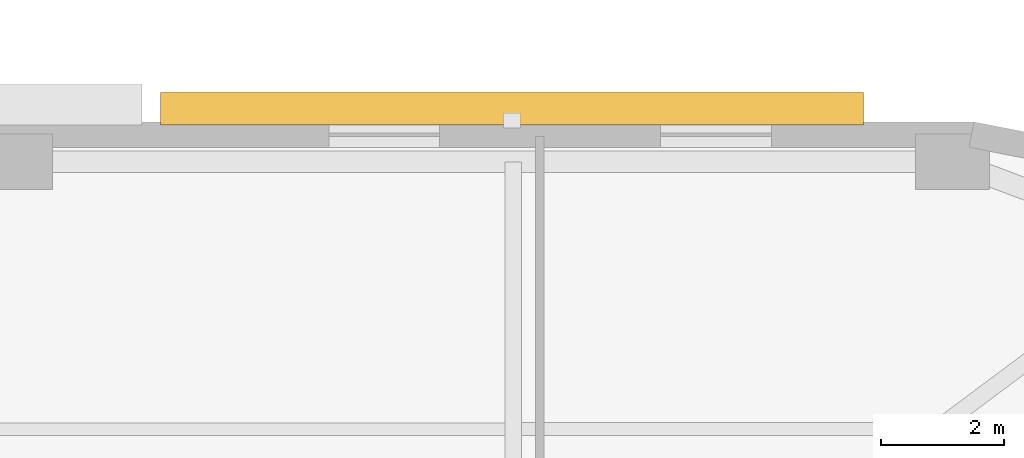
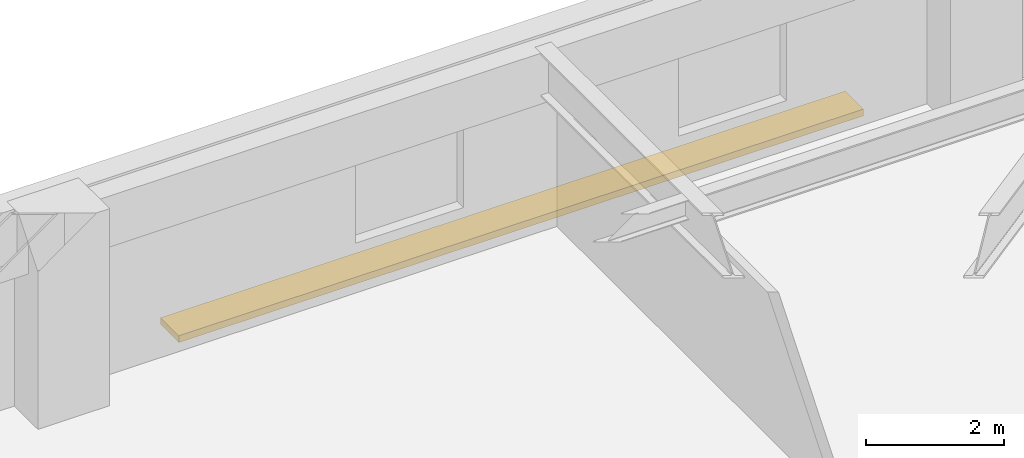
# One storey, part 14 of 14: 1 shading device.
"""IFC4 building model written with IfcOpenShell, lengths in metres."""

from ifc_helpers import new_model, si_unit, direction, frame, origin, origin_2d, place, context, subcontext, project, spatial, rectangle, extrude, material, type_object, element, save


model = new_model("IFC4")

# Units and contexts
model_context = context("Model", 3, precision=1e-05, world=origin(), true_north=direction((0.0, 1.0)))
body_context = subcontext(model_context, "Body", "Model", "MODEL_VIEW")
ifc_project = project(units=[si_unit("LENGTHUNIT", "METRE"), si_unit("AREAUNIT", "SQUARE_METRE"), si_unit("VOLUMEUNIT", "CUBIC_METRE"), si_unit("PLANEANGLEUNIT", "RADIAN"), si_unit("MASSUNIT", "GRAM", prefix="KILO")], contexts=[model_context])

# Site, building, storey
site_placement = place(None, origin())
site = spatial("IfcSite", under=ifc_project, at=site_placement, CompositionType="ELEMENT")
building_placement = place(site_placement, origin())
building = spatial("IfcBuilding", under=site, at=building_placement, Name="Kolvaren Arena Tower", CompositionType="ELEMENT")
storey_placement = place(building_placement, frame((0.0, 0.0, 53.25)))
storey = spatial("IfcBuildingStorey", under=building, at=storey_placement, Name="L10", CompositionType="ELEMENT", Elevation=53.25)

# Shading device
ifc_material = material(Name="Architectural precast GFRC and anodised aluminium sunshade", Category="concrete")
shading_device_type = type_object("IfcShadingDeviceType", Name="SHAD-SINE-A", PredefinedType="USERDEFINED", material=ifc_material)
shading_device_placement = place(storey_placement, frame((60.330078125, 49.713623046875, -0.14013671875), z_axis=(0.0, 0.0, 1.0), x_axis=(1.0, 0.0, 0.0)))
element("IfcShadingDevice", 1, at=shading_device_placement, inside=storey, type_object=shading_device_type, Name="Sinusoidal Slab-Edge Sunshade Louvre (L10)", ObjectType="LOUVRE", PredefinedType="USERDEFINED", context=body_context, shape_type="SweptSolid", body=[
    extrude(rectangle(XDim=11.43994140625, YDim=0.52734375, at=origin_2d()), origin(), (0.0, 0.0, 1.0), 0.1201171875),
])

save(model, "model.ifc")
